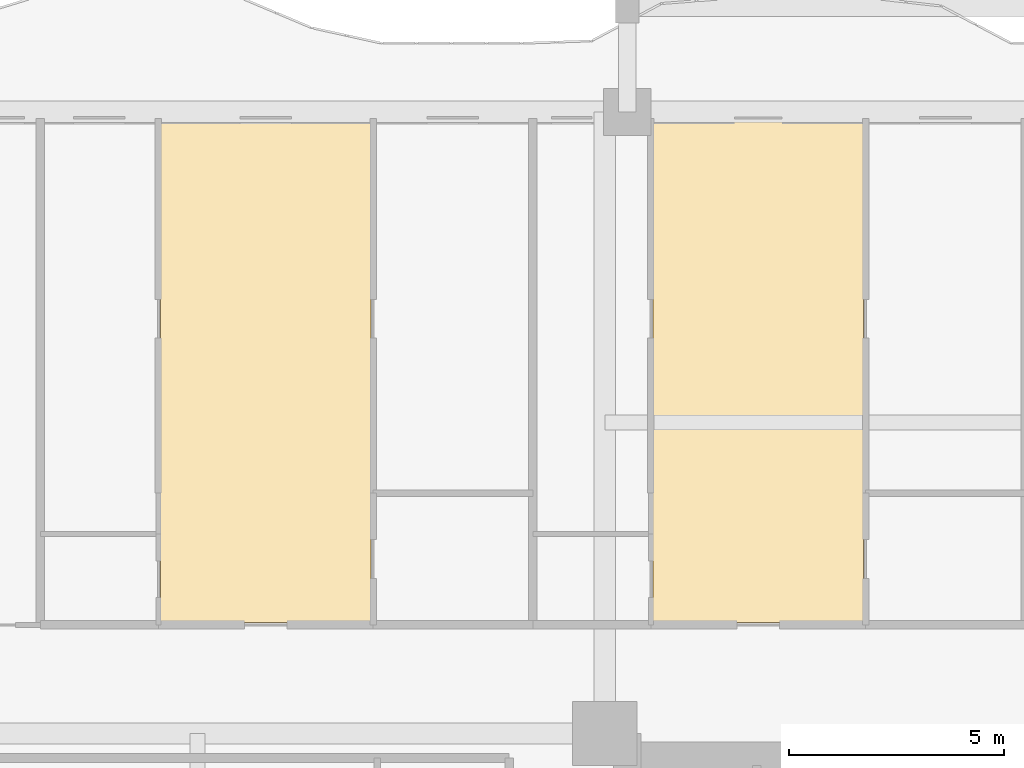
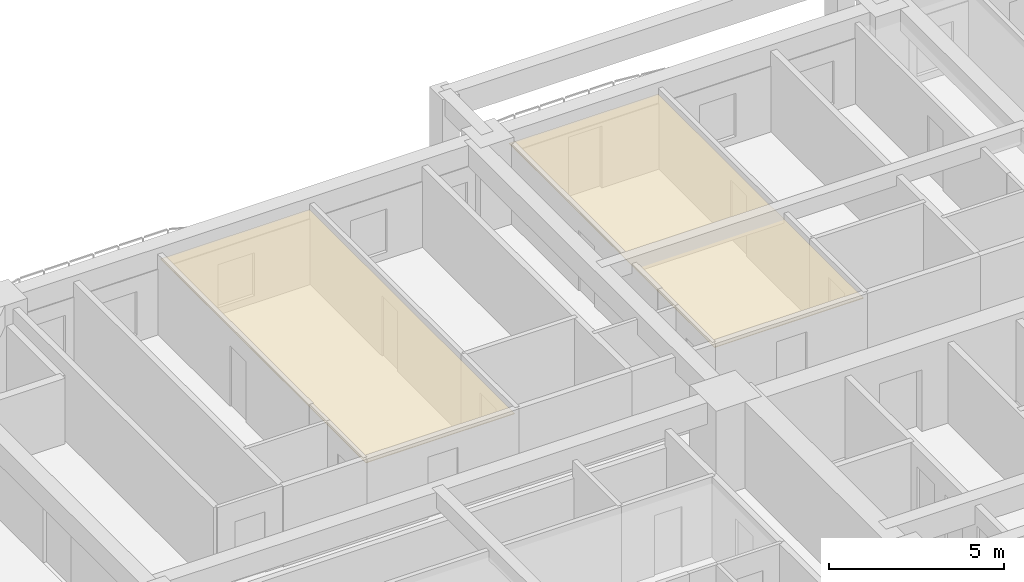
# One storey, part 17 of 18: 2 coverings.
"""IFC4 building model written with IfcOpenShell, lengths in metres."""

from ifc_helpers import new_model, si_unit, direction, frame, origin, place, context, subcontext, project, spatial, polyline, outline, extrude, material, layer, layer_set, type_object, element, save


model = new_model("IFC4")

# Units and contexts
model_context = context("Model", 3, precision=1e-05, world=origin(), true_north=direction((0.0, 1.0)))
body_context = subcontext(model_context, "Body", "Model", "MODEL_VIEW")
ifc_project = project(units=[si_unit("LENGTHUNIT", "METRE"), si_unit("AREAUNIT", "SQUARE_METRE"), si_unit("VOLUMEUNIT", "CUBIC_METRE"), si_unit("PLANEANGLEUNIT", "RADIAN"), si_unit("MASSUNIT", "GRAM", prefix="KILO")], contexts=[model_context])

# Site, building, storey
site_placement = place(None, origin())
site = spatial("IfcSite", under=ifc_project, at=site_placement, CompositionType="ELEMENT")
building_placement = place(site_placement, origin())
building = spatial("IfcBuilding", under=site, at=building_placement, Name="Saelheon Loggia Tower", CompositionType="ELEMENT")
storey_placement = place(building_placement, frame((0.0, 0.0, 40.39990234375)))
storey = spatial("IfcBuildingStorey", under=building, at=storey_placement, Name="L12", CompositionType="ELEMENT", Elevation=40.39990234375)

# Coverings
ifc_material = material(Name="Mineral-Fibre Acoustic Ceiling Board", Category="gypsum")
ifc_layer = layer(ifc_material, 0.02490234375)
ifc_layer_set = layer_set([ifc_layer], Name="Mineral-Fibre Acoustic Ceiling Board")
covering_type = type_object("IfcCoveringType", Name="Cov_Ceiling_Acoustic", PredefinedType="CEILING", material=ifc_layer_set)
covering_1_placement = place(storey_placement, frame((0.0, 0.0, 2.53515625)))
element("IfcCovering", 1, at=covering_1_placement, inside=storey, type_object=covering_type, Name="L12 Acoustic Suspended Ceiling", PredefinedType="CEILING", context=body_context, shape_type="SweptSolid", body=[
    extrude(outline(polyline([(20.6298828125, 39.10009765625), (25.529541015625, 39.10009765625), (25.529541015625, 50.800048828125), (20.6298828125, 50.800048828125), (20.6298828125, 39.10009765625)])), origin(), (0.0, 0.0, 1.0), 0.02490234375),
])
covering_2_placement = place(storey_placement, frame((0.0, 0.0, 2.53515625)))
element("IfcCovering", 2, at=covering_2_placement, inside=storey, type_object=covering_type, Name="L12 Acoustic Suspended Ceiling", PredefinedType="CEILING", context=body_context, shape_type="SweptSolid", body=[
    extrude(outline(polyline([(32.102294921875, 39.10009765625), (37.001708984375, 39.10009765625), (37.001708984375, 50.800048828125), (32.102294921875, 50.800048828125), (32.102294921875, 39.10009765625)])), origin(), (0.0, 0.0, 1.0), 0.02490234375),
])

save(model, "model.ifc")
